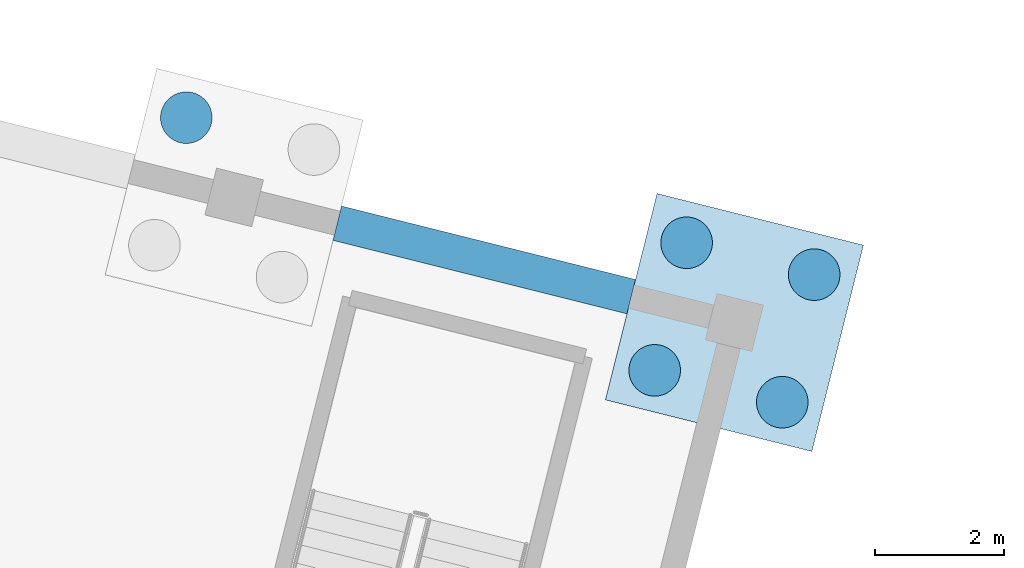
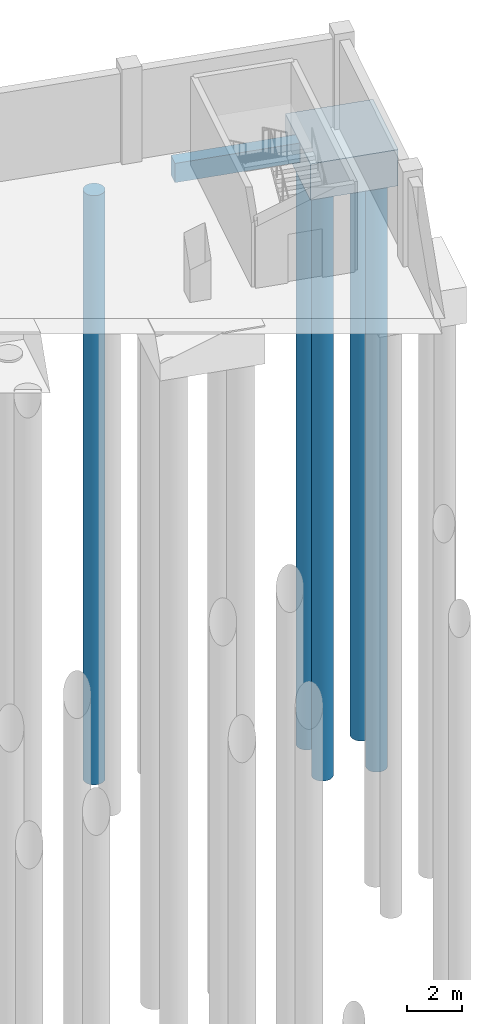
# One storey, part 7 of 36: 5 piles, 2 footings.
"""IFC4 building model written with IfcOpenShell, lengths in metres."""

import ifcopenshell
import ifcopenshell.guid

model = None  # the IFC model being written
_history = None  # IfcOwnerHistory: only IFC2X3 demands one
_inside = {}  # id of a spatial element -> (the spatial element, [elements in it])
_under = {}  # id of a project, library or spatial element -> (it, [spatial elements below it])
_declared = {}  # id of a project -> (the project, [libraries it declares])
_typed = {}  # id of a type object -> (the type object, [elements of that type])
_made_of = {}  # id of a material, layer set ... -> (it, [elements and type objects made of it])


def new_model(schema):
    """Start an empty IFC model of exactly this schema.

    Asked for "IFC4X3", IfcOpenShell would pick the latest addendum, in which some entities
    have other attributes; the version numbers below select the first issue.
    IFC2X3 requires an IfcOwnerHistory on every rooted entity: one is made here for all.
    """
    global model, _history
    if schema == "IFC4X3":
        model = ifcopenshell.file(schema_version=(4, 3, 0, 0))
    else:
        model = ifcopenshell.file(schema=schema)
    _inside.clear()
    _under.clear()
    _declared.clear()
    _typed.clear()
    _made_of.clear()
    _history = None
    if model.schema == "IFC2X3":
        org = make("IfcOrganization", Name="unknown")
        user = make(
            "IfcPersonAndOrganization",
            ThePerson=make("IfcPerson", FamilyName="unknown"),
            TheOrganization=org,
        )
        app = make(
            "IfcApplication",
            ApplicationDeveloper=org,
            Version="unknown",
            ApplicationFullName="unknown",
            ApplicationIdentifier="unknown",
        )
        _history = make(
            "IfcOwnerHistory",
            OwningUser=user,
            OwningApplication=app,
            ChangeAction="ADDED",
            CreationDate=0,
        )
    return model


def make(cls, **values):
    """One entity of the class cls with the attributes given. An attribute that is None is left unset."""
    return model.create_entity(
        cls, **{name: value for name, value in values.items() if value is not None}
    )


def rooted(cls, **values):
    """An entity with a GlobalId (a new one), such as an element, a storey or a relation."""
    return make(cls, GlobalId=ifcopenshell.guid.new(), OwnerHistory=_history, **values)


def si_unit(unit_type, name, prefix=None):
    """IfcSIUnit, for example si_unit("LENGTHUNIT", "METRE", prefix="MILLI")."""
    return make("IfcSIUnit", UnitType=unit_type, Prefix=prefix, Name=name)


def derived_unit(unit_type, elements):
    """IfcDerivedUnit: a product of units, each with its exponent."""
    return make(
        "IfcDerivedUnit",
        Elements=[
            make("IfcDerivedUnitElement", Unit=unit, Exponent=power)
            for unit, power in elements
        ],
        UnitType=unit_type,
    )


def assignment(units):
    """IfcUnitAssignment: the units of a project."""
    return None if units is None else make("IfcUnitAssignment", Units=units)


def point(xyz):
    """IfcCartesianPoint."""
    return None if xyz is None else make("IfcCartesianPoint", Coordinates=xyz)


def direction(xyz):
    """IfcDirection."""
    return None if xyz is None else make("IfcDirection", DirectionRatios=xyz)


def frame(location, z_axis=None, x_axis=None):
    """IfcAxis2Placement3D, a coordinate frame: its origin and axes. An axis left out is left unset."""
    return make(
        "IfcAxis2Placement3D",
        Location=point(location),
        Axis=direction(z_axis),
        RefDirection=direction(x_axis),
    )


def frame_2d(location, x_axis=None):
    """IfcAxis2Placement2D, a coordinate frame in the plane: its origin and x axis."""
    return make(
        "IfcAxis2Placement2D", Location=point(location), RefDirection=direction(x_axis)
    )


def origin():
    """The frame at (0, 0, 0) with its axes left unset."""
    return frame((0.0, 0.0, 0.0))


def origin_2d():
    """The frame at (0, 0) in the plane with its x axis left unset."""
    return frame_2d((0.0, 0.0))


def place(relative_to, where):
    """IfcLocalPlacement: puts the frame where relative to a parent placement (None: the world)."""
    return make(
        "IfcLocalPlacement", PlacementRelTo=relative_to, RelativePlacement=where
    )


def context(
    kind, dimensions, precision=None, world=None, true_north=None, identifier=None
):
    """IfcGeometricRepresentationContext, for example the 3D "Model" context."""
    return make(
        "IfcGeometricRepresentationContext",
        ContextIdentifier=identifier,
        ContextType=kind,
        CoordinateSpaceDimension=dimensions,
        Precision=precision,
        WorldCoordinateSystem=world,
        TrueNorth=true_north,
    )


def subcontext(parent, identifier, kind, view, scale=None):
    """IfcGeometricRepresentationSubContext, for example "Body" below "Model"."""
    return make(
        "IfcGeometricRepresentationSubContext",
        ContextIdentifier=identifier,
        ContextType=kind,
        ParentContext=parent,
        TargetScale=scale,
        TargetView=view,
    )


def project(units=None, contexts=None):
    """IfcProject with its units and contexts."""
    return rooted(
        "IfcProject",
        Name="project",
        RepresentationContexts=contexts,
        UnitsInContext=assignment(units),
    )


def spatial(cls, under=None, at=None, **own):
    """A site, building, storey or space (cls), placed at a placement, below another one or the project."""
    s = rooted(cls, ObjectPlacement=at, **own)
    if under is not None:
        _under.setdefault(under.id(), (under, []))[1].append(s)
    return s


def profile(cls, at=None, kind="AREA", **sizes):
    """A parametric profile (cls). Its sizes go by their IFC names, for example OverallWidth=200.0."""
    return make(cls, ProfileType=kind, Position=at, **sizes)


def rectangle(**sizes):
    """IfcRectangleProfileDef."""
    return profile("IfcRectangleProfileDef", **sizes)


def circle(**sizes):
    """IfcCircleProfileDef."""
    return profile("IfcCircleProfileDef", **sizes)


def extrude(swept, where, along, depth):
    """IfcExtrudedAreaSolid: the profile swept, set in the frame where, extruded along a direction by depth."""
    return make(
        "IfcExtrudedAreaSolid",
        SweptArea=swept,
        Position=where,
        ExtrudedDirection=direction(along),
        Depth=depth,
    )


def shape(context_of_items, identifier, shape_type, items):
    """IfcShapeRepresentation: the items that make up one representation, for example the "Body"."""
    return make(
        "IfcShapeRepresentation",
        ContextOfItems=context_of_items,
        RepresentationIdentifier=identifier,
        RepresentationType=shape_type,
        Items=items,
    )


def material(Name=None, Category=None):
    """IfcMaterial."""
    return make("IfcMaterial", Name=Name, Category=Category)


def material_profile(
    of_material, cross_section, Name=None, Category=None, Priority=None
):
    """IfcMaterialProfile: a cross section and its material."""
    return make(
        "IfcMaterialProfile",
        Name=Name,
        Material=of_material,
        Profile=cross_section,
        Priority=Priority,
        Category=Category,
    )


def profile_set(profiles, Name=None, composite=None):
    """IfcMaterialProfileSet."""
    return make(
        "IfcMaterialProfileSet",
        Name=Name,
        MaterialProfiles=profiles,
        CompositeProfile=composite,
    )


def made_of(thing, what):
    """Note that an element or type object is made of a material, layer set ...; save() writes the relation."""
    if what is not None:
        _made_of.setdefault(what.id(), (what, []))[1].append(thing)
    return thing


def type_object(cls, material=None, **own):
    """A type object (cls), such as IfcWallType, which elements share."""
    return made_of(rooted(cls, **own), material)


def element(
    cls,
    number,
    at=None,
    inside=None,
    cuts=None,
    type_object=None,
    material=None,
    context=None,
    identifier="Body",
    shape_type=None,
    held_by="IfcProductDefinitionShape",
    body=None,
    shapes=None,
    **own,
):
    """One element of the class cls, such as IfcWall. Its Tag is "e" and its number.

    at: its placement. inside: the storey or other place that contains it. cuts: it is an
    opening in that element (IfcRelVoidsElement). A single representation is given by context,
    identifier, shape_type and body (its items); several are given by shapes. held_by: the class
    of the entity that holds the representations. save() writes the other relations.
    """
    e = rooted(cls, Tag="e%d" % number, ObjectPlacement=at, **own)
    if body is not None:
        shapes = [shape(context, identifier, shape_type, body)]
    if shapes is not None:
        e.Representation = make(held_by, Representations=shapes)
    if inside is not None:
        _inside.setdefault(inside.id(), (inside, []))[1].append(e)
    if cuts is not None:
        rooted(
            "IfcRelVoidsElement", RelatingBuildingElement=cuts, RelatedOpeningElement=e
        )
    if type_object is not None:
        _typed.setdefault(type_object.id(), (type_object, []))[1].append(e)
    return made_of(e, material)


def aggregate(whole, parts):
    """IfcRelAggregates: a whole, such as a stair, and the parts it consists of."""
    return rooted("IfcRelAggregates", RelatingObject=whole, RelatedObjects=parts)


def save(model, path):
    """Write the relations noted so far, then the file.

    IfcRelAggregates (storeys below a building ...), IfcRelContainedInSpatialStructure (elements
    in a storey), IfcRelDefinesByType, IfcRelAssociatesMaterial and IfcRelDeclares: one each for
    every whole, place, type object, material and project.
    """
    for whole, parts in _under.values():
        aggregate(whole, parts)
    for where, things in _inside.values():
        rooted(
            "IfcRelContainedInSpatialStructure",
            RelatedElements=things,
            RelatingStructure=where,
        )
    for kind, things in _typed.values():
        rooted("IfcRelDefinesByType", RelatedObjects=things, RelatingType=kind)
    for what, things in _made_of.values():
        rooted("IfcRelAssociatesMaterial", RelatedObjects=things, RelatingMaterial=what)
    for by, libraries in _declared.values():
        rooted("IfcRelDeclares", RelatingContext=by, RelatedDefinitions=libraries)
    model.write(path)


model = new_model("IFC4")

# Units and contexts
model_context = context("Model", 3, precision=1e-05, world=origin(), true_north=direction((0.0, 1.0)))
body_context = subcontext(model_context, "Body", "Model", "MODEL_VIEW")
ifc_project = project(units=[si_unit("LENGTHUNIT", "METRE"), si_unit("AREAUNIT", "SQUARE_METRE"), si_unit("VOLUMEUNIT", "CUBIC_METRE"), si_unit("PLANEANGLEUNIT", "RADIAN"), si_unit("MASSUNIT", "GRAM", prefix="KILO"), si_unit("THERMODYNAMICTEMPERATUREUNIT", "KELVIN"), si_unit("TIMEUNIT", "SECOND"), derived_unit("THERMALTRANSMITTANCEUNIT", [(si_unit("MASSUNIT", "GRAM", prefix="KILO"), 1), (si_unit("THERMODYNAMICTEMPERATUREUNIT", "KELVIN"), -1), (si_unit("TIMEUNIT", "SECOND"), -3)])], contexts=[model_context])

# Site, building, storey
site_placement = place(None, origin())
site = spatial("IfcSite", under=ifc_project, at=site_placement, CompositionType="ELEMENT")
building_placement = place(site_placement, origin())
building = spatial("IfcBuilding", under=site, at=building_placement, Name="Cambertide Market Hall", CompositionType="ELEMENT")
storey_placement = place(building_placement, frame((0.0, 0.0, -4.199951171875)))
storey = spatial("IfcBuildingStorey", under=building, at=storey_placement, Name="B1", CompositionType="ELEMENT", Elevation=-4.199951171875)

# Piles
ifc_material_1 = material(Name="Concrete B35", Category="concrete")
ifc_material_profile = material_profile(ifc_material_1, circle(Radius=0.39990234375, at=origin_2d()), Name="BP D800")
ifc_profile_set = profile_set([ifc_material_profile], Name="Concrete B35")
pile_type = type_object("IfcPileType", Name="Bored Pile BP-800", PredefinedType="BORED", material=ifc_profile_set)
for number, where, z_axis, x_axis, name in (
    (1, (168.13427734375, 113.848876953125, -1.900146484375), (0.0, 0.0, -1.0), (1.0, 0.0, 0.0), "Basement 1 Bored Pile V4-8-4-3"),
    (2, (175.400634765625, 109.929443359375, -1.900146484375), (0.0, 0.0, -1.0), (1.0, 0.0, 0.0), "Basement 1 Bored Pile V4-9-4-1"),
    (3, (177.379638671875, 109.4345703125, -1.900146484375), (0.0, 0.0, -1.0), (1.0, 0.0, 0.0), "Basement 1 Bored Pile V4-9-4-2"),
    (4, (175.8955078125, 111.908447265625, -1.900146484375), (0.0, 0.0, -1.0), (1.0, 0.0, 0.0), "Basement 1 Bored Pile V4-9-4-3"),
    (5, (177.87451171875, 111.413818359375, -1.900146484375), (0.0, 0.0, -1.0), (1.0, 0.0, 0.0), "Basement 1 Bored Pile V4-9-4-4"),
):
    element("IfcPile", number, at=place(storey_placement, frame(where, z_axis=z_axis, x_axis=x_axis)), inside=storey, type_object=pile_type, Name=name, PredefinedType="BORED", context=body_context, shape_type="SweptSolid", body=[
        extrude(circle(Radius=0.39990234375, at=origin_2d()), origin(), (0.0, 0.0, 1.0), 26.0),
    ])

# Footings
ifc_material_2 = material(Name="Concrete B35", Category="concrete")
footing_type_1 = type_object("IfcFootingType", Name="Concrete Pile Cap PC-04B", PredefinedType="PILE_CAP", material=ifc_material_2)
footing_1_placement = place(storey_placement, frame((176.6376953125, 110.671630859375, -2.0), z_axis=(0.0, 0.0, 1.0), x_axis=(0.970142500145, -0.242535625038, 0.0)))
element("IfcFooting", 6, at=footing_1_placement, inside=storey, type_object=footing_type_1, Name="Basement 1 Pile Cap V4-9-4", PredefinedType="PILE_CAP", context=body_context, shape_type="SweptSolid", body=[
    extrude(rectangle(XDim=3.300048828125, YDim=3.300048828125, at=origin_2d()), origin(), (0.0, 0.0, 1.0), 1.60009765625),
])
ifc_material_3 = material(Name="Concrete B35", Category="concrete")
footing_type_2 = type_object("IfcFootingType", Name="Foundation Tie Beam FB-04", PredefinedType="FOOTING_BEAM", material=ifc_material_3)
footing_2_placement = place(storey_placement, frame((172.757080078125, 111.6416015625, -1.25), z_axis=(0.0, 0.0, 1.0), x_axis=(0.970142500145, -0.242535625038, 0.0)))
element("IfcFooting", 7, at=footing_2_placement, inside=storey, type_object=footing_type_2, Name="Basement 1 Foundation Tie Beam FB-V4U-8-4", PredefinedType="FOOTING_BEAM", context=body_context, shape_type="SweptSolid", body=[
    extrude(rectangle(XDim=4.699951171875, YDim=0.550048828125, at=origin_2d()), origin(), (0.0, 0.0, 1.0), 0.85009765625),
])

save(model, "model.ifc")
